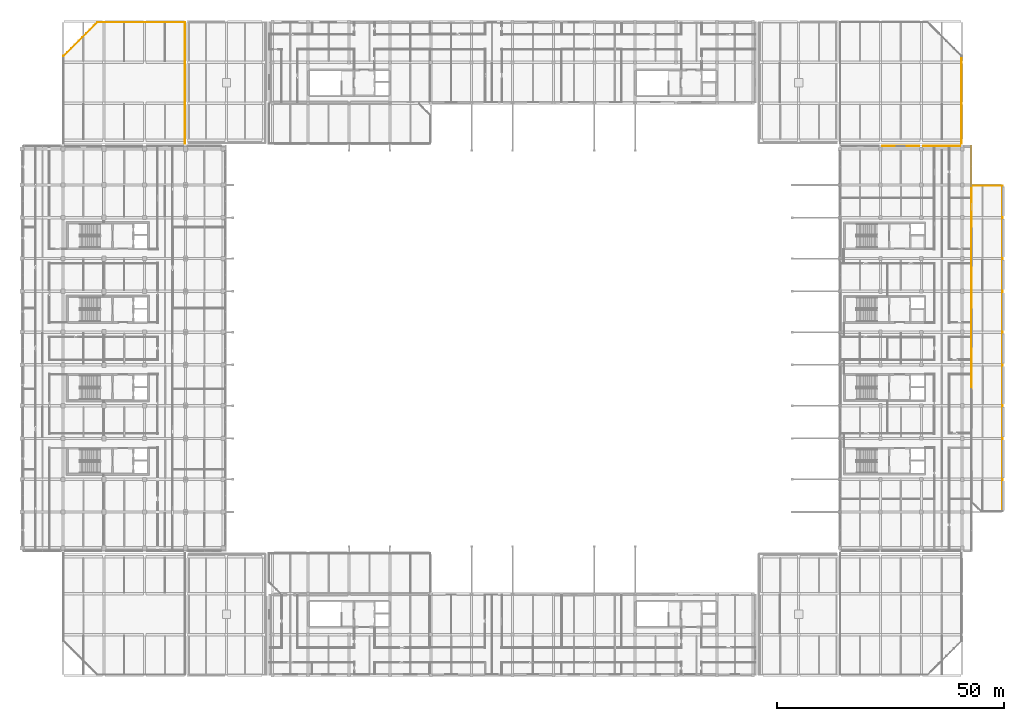
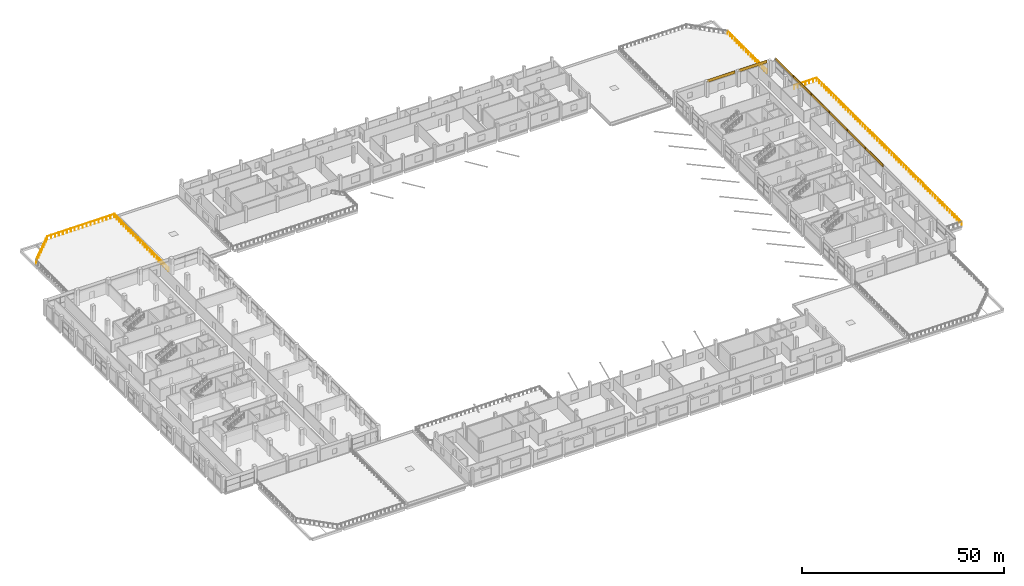
# One storey, part 79 of 82: 8 coverings, 6 railings.
"""IFC4 building model written with IfcOpenShell, lengths in metres."""

from ifc_helpers import new_model, si_unit, direction, frame, origin, origin_2d, place, context, subcontext, project, spatial, rectangle, circle, extrude, material, layer, layer_set, type_object, element, save


model = new_model("IFC4")

# Units and contexts
model_context = context("Model", 3, precision=1e-05, world=origin(), true_north=direction((0.0, 1.0)))
body_context = subcontext(model_context, "Body", "Model", "MODEL_VIEW")
ifc_project = project(units=[si_unit("LENGTHUNIT", "METRE"), si_unit("AREAUNIT", "SQUARE_METRE"), si_unit("VOLUMEUNIT", "CUBIC_METRE"), si_unit("PLANEANGLEUNIT", "RADIAN"), si_unit("MASSUNIT", "GRAM", prefix="KILO"), si_unit("THERMODYNAMICTEMPERATUREUNIT", "KELVIN"), si_unit("POWERUNIT", "WATT")], contexts=[model_context])

# Site, building, storey
site_placement = place(None, origin())
site = spatial("IfcSite", under=ifc_project, at=site_placement, CompositionType="ELEMENT")
building_placement = place(site_placement, origin())
building = spatial("IfcBuilding", under=site, at=building_placement, Name="Sindhuravela Promenade Stadium", CompositionType="ELEMENT")
storey_placement = place(building_placement, frame((0.0, 0.0, 14.39990234375)))
storey = spatial("IfcBuildingStorey", under=building, at=storey_placement, Name="L03", CompositionType="ELEMENT", Elevation=14.39990234375)

# Coverings
ifc_material_1 = material(Name="Polychrome trencadis ceramic mosaic", Category="masonry")
ifc_layer_1 = layer(ifc_material_1, 0.034912109375)
ifc_layer_set_1 = layer_set([ifc_layer_1], Name="Polychrome trencadis ceramic mosaic")
covering_type_1 = type_object("IfcCoveringType", Name="CV-TRENC-1", PredefinedType="CLADDING", material=ifc_layer_set_1)
covering_1_placement = place(storey_placement, frame((193.47509765625, 125.570068359375, 3.55517578125), z_axis=(0.0, 0.0, 1.0), x_axis=(1.0, 0.0, 0.0)))
element("IfcCovering", 1, at=covering_1_placement, inside=storey, type_object=covering_type_1, Name="Trencadis ceramic mosaic spandrel frieze EAST L03-212", PredefinedType="CLADDING", context=body_context, shape_type="SweptSolid", body=[
    extrude(rectangle(XDim=8.1201171875, YDim=0.034912109375, at=origin_2d()), origin(), (0.0, 0.0, 1.0), 0.905029296875),
])
for number, where, z_axis, x_axis, name in (
    (2, (209.02001953125, 121.094970703125, 3.55517578125), (0.0, 0.0, 1.0), (0.0, -1.0, 0.0), "Trencadis ceramic mosaic spandrel frieze EAST L03-214"),
    (3, (209.02001953125, 103.27490234375, 3.55517578125), (0.0, 0.0, 1.0), (0.0, -1.0, 0.0), "Trencadis ceramic mosaic spandrel frieze EAST L03-216"),
    (4, (209.02001953125, 85.455078125, 3.55517578125), (0.0, 0.0, 1.0), (0.0, -1.0, 0.0), "Trencadis ceramic mosaic spandrel frieze EAST L03-218"),
):
    element("IfcCovering", number, at=place(storey_placement, frame(where, z_axis=z_axis, x_axis=x_axis)), inside=storey, type_object=covering_type_1, Name=name, PredefinedType="CLADDING", context=body_context, shape_type="SweptSolid", body=[
        extrude(rectangle(XDim=8.7900390625, YDim=0.034912109375, at=origin_2d()), origin(), (0.0, 0.0, 1.0), 0.905029296875),
    ])
ifc_layer_2 = layer(ifc_material_1, 0.050048828125)
ifc_layer_set_2 = layer_set([ifc_layer_2], Name="Polychrome trencadis ceramic mosaic")
covering_type_2 = type_object("IfcCoveringType", Name="CV-TRENC-2", PredefinedType="CLADDING", material=ifc_layer_set_2)
covering_2_placement = place(storey_placement, frame((202.52490234375, 125.570068359375, 3.55517578125), z_axis=(0.0, 0.0, 1.0), x_axis=(1.0, 0.0, 0.0)))
element("IfcCovering", 5, at=covering_2_placement, inside=storey, type_object=covering_type_2, Name="Trencadis ceramic mosaic spandrel frieze EAST L03-213", PredefinedType="CLADDING", context=body_context, shape_type="SweptSolid", body=[
    extrude(rectangle(XDim=8.1201171875, YDim=0.050048828125, at=origin_2d()), origin(), (0.0, 0.0, 1.0), 0.905029296875),
])
for number, where, z_axis, x_axis, name in (
    (6, (209.02001953125, 112.18505859375, 3.55517578125), (0.0, 0.0, 1.0), (0.0, -1.0, 0.0), "Trencadis ceramic mosaic spandrel frieze EAST L03-215"),
    (7, (209.02001953125, 94.364990234375, 3.55517578125), (0.0, 0.0, 1.0), (0.0, -1.0, 0.0), "Trencadis ceramic mosaic spandrel frieze EAST L03-217"),
    (8, (209.02001953125, 76.544921875, 3.55517578125), (0.0, 0.0, 1.0), (0.0, -1.0, 0.0), "Trencadis ceramic mosaic spandrel frieze EAST L03-219"),
):
    element("IfcCovering", number, at=place(storey_placement, frame(where, z_axis=z_axis, x_axis=x_axis)), inside=storey, type_object=covering_type_2, Name=name, PredefinedType="CLADDING", context=body_context, shape_type="SweptSolid", body=[
        extrude(rectangle(XDim=8.7900390625, YDim=0.050048828125, at=origin_2d()), origin(), (0.0, 0.0, 1.0), 0.905029296875),
    ])

# Railings
ifc_material_2 = material(Name="Architectural wrought steel E350", Category="steel")
railing_type = type_object("IfcRailingType", Name="RL-BAL-1150", PredefinedType="BALUSTRADE", material=ifc_material_2)
railing_1_placement = place(storey_placement, frame((9.139892578125, 145.382080078125, 0.0)))
element("IfcRailing", 9, at=railing_1_placement, inside=storey, type_object=railing_type, Name="Terrace wrought balustrade BL01-22", PredefinedType="BALUSTRADE", context=body_context, shape_type="SweptSolid", body=[
    extrude(circle(Radius=0.02392578125, at=origin_2d()), frame((0.0, 0.0, 1.1259765625), z_axis=(0.7071067811865475, 0.7071067811865475, 0.0), x_axis=(-0.7071067811865476, 0.7071067811865476, 0.0)), (0.0, 0.0, 1.0), 10.575439453125),
    extrude(circle(Radius=0.02099609375, at=origin_2d()), origin(), (0.0, 0.0, 1.0), 1.101806640625),
    extrude(circle(Radius=0.02099609375, at=origin_2d()), frame((0.830810546875, 0.830810546875, 0.0)), (0.0, 0.0, 1.0), 1.101806640625),
    extrude(circle(Radius=0.02099609375, at=origin_2d()), frame((1.661865234375, 1.661865234375, 0.0)), (0.0, 0.0, 1.0), 1.101806640625),
    extrude(circle(Radius=0.02099609375, at=origin_2d()), frame((2.49267578125, 2.49267578125, 0.0)), (0.0, 0.0, 1.0), 1.101806640625),
    extrude(circle(Radius=0.02099609375, at=origin_2d()), frame((3.323486328125, 3.323486328125, 0.0)), (0.0, 0.0, 1.0), 1.101806640625),
    extrude(circle(Radius=0.02099609375, at=origin_2d()), frame((4.154541015625, 4.154541015625, 0.0)), (0.0, 0.0, 1.0), 1.101806640625),
    extrude(circle(Radius=0.02099609375, at=origin_2d()), frame((4.9853515625, 4.9853515625, 0.0)), (0.0, 0.0, 1.0), 1.101806640625),
    extrude(circle(Radius=0.02099609375, at=origin_2d()), frame((5.816162109375, 5.816162109375, 0.0)), (0.0, 0.0, 1.0), 1.101806640625),
    extrude(circle(Radius=0.02099609375, at=origin_2d()), frame((6.647216796875, 6.647216796875, 0.0)), (0.0, 0.0, 1.0), 1.101806640625),
    extrude(circle(Radius=0.02099609375, at=origin_2d()), frame((7.47802734375, 7.47802734375, 0.0)), (0.0, 0.0, 1.0), 1.101806640625),
])
railing_2_placement = place(storey_placement, frame((16.617919921875, 152.860107421875, 0.0)))
element("IfcRailing", 10, at=railing_2_placement, inside=storey, type_object=railing_type, Name="Terrace wrought balustrade BL01-23", PredefinedType="BALUSTRADE", context=body_context, shape_type="SweptSolid", body=[
    extrude(circle(Radius=0.02392578125, at=origin_2d()), frame((0.0, 0.0, 1.1259765625), z_axis=(1.0, 0.0, 0.0), x_axis=(0.0, 1.0, 0.0)), (0.0, 0.0, 1.0), 19.2421875),
    extrude(circle(Radius=0.02099609375, at=origin_2d()), origin(), (0.0, 0.0, 1.0), 1.101806640625),
    extrude(circle(Radius=0.02099609375, at=origin_2d()), frame((1.1318359375, 0.0, 0.0)), (0.0, 0.0, 1.0), 1.101806640625),
    extrude(circle(Radius=0.02099609375, at=origin_2d()), frame((2.263671875, 0.0, 0.0)), (0.0, 0.0, 1.0), 1.101806640625),
    extrude(circle(Radius=0.02099609375, at=origin_2d()), frame((3.395751953125, 0.0, 0.0)), (0.0, 0.0, 1.0), 1.101806640625),
    extrude(circle(Radius=0.02099609375, at=origin_2d()), frame((4.527587890625, 0.0, 0.0)), (0.0, 0.0, 1.0), 1.101806640625),
    extrude(circle(Radius=0.02099609375, at=origin_2d()), frame((5.659423828125, 0.0, 0.0)), (0.0, 0.0, 1.0), 1.101806640625),
    extrude(circle(Radius=0.02099609375, at=origin_2d()), frame((6.791259765625, 0.0, 0.0)), (0.0, 0.0, 1.0), 1.101806640625),
    extrude(circle(Radius=0.02099609375, at=origin_2d()), frame((7.92333984375, 0.0, 0.0)), (0.0, 0.0, 1.0), 1.101806640625),
    extrude(circle(Radius=0.02099609375, at=origin_2d()), frame((9.05517578125, 0.0, 0.0)), (0.0, 0.0, 1.0), 1.101806640625),
    extrude(circle(Radius=0.02099609375, at=origin_2d()), frame((10.18701171875, 0.0, 0.0)), (0.0, 0.0, 1.0), 1.101806640625),
    extrude(circle(Radius=0.02099609375, at=origin_2d()), frame((11.31884765625, 0.0, 0.0)), (0.0, 0.0, 1.0), 1.101806640625),
    extrude(circle(Radius=0.02099609375, at=origin_2d()), frame((12.450927734375, 0.0, 0.0)), (0.0, 0.0, 1.0), 1.101806640625),
    extrude(circle(Radius=0.02099609375, at=origin_2d()), frame((13.582763671875, 0.0, 0.0)), (0.0, 0.0, 1.0), 1.101806640625),
    extrude(circle(Radius=0.02099609375, at=origin_2d()), frame((14.714599609375, 0.0, 0.0)), (0.0, 0.0, 1.0), 1.101806640625),
    extrude(circle(Radius=0.02099609375, at=origin_2d()), frame((15.846435546875, 0.0, 0.0)), (0.0, 0.0, 1.0), 1.101806640625),
    extrude(circle(Radius=0.02099609375, at=origin_2d()), frame((16.978515625, 0.0, 0.0)), (0.0, 0.0, 1.0), 1.101806640625),
    extrude(circle(Radius=0.02099609375, at=origin_2d()), frame((18.1103515625, 0.0, 0.0)), (0.0, 0.0, 1.0), 1.101806640625),
    extrude(circle(Radius=0.02099609375, at=origin_2d()), frame((19.2421875, 0.0, 0.0)), (0.0, 0.0, 1.0), 1.101806640625),
])
railing_3_placement = place(storey_placement, frame((35.860107421875, 152.860107421875, 0.0)))
element("IfcRailing", 11, at=railing_3_placement, inside=storey, type_object=railing_type, Name="Terrace wrought balustrade BL01-24", PredefinedType="BALUSTRADE", context=body_context, shape_type="SweptSolid", body=[
    extrude(circle(Radius=0.02392578125, at=origin_2d()), frame((0.0, 0.0, 1.1259765625), z_axis=(0.0, -1.0, 0.0), x_axis=(1.0, 0.0, 0.0)), (0.0, 0.0, 1.0), 26.72021484375),
    extrude(circle(Radius=0.02099609375, at=origin_2d()), origin(), (0.0, 0.0, 1.0), 1.101806640625),
    extrude(circle(Radius=0.02099609375, at=origin_2d()), frame((0.0, -1.161865234375, 0.0)), (0.0, 0.0, 1.0), 1.101806640625),
    extrude(circle(Radius=0.02099609375, at=origin_2d()), frame((0.0, -2.323486328125, 0.0)), (0.0, 0.0, 1.0), 1.101806640625),
    extrude(circle(Radius=0.02099609375, at=origin_2d()), frame((0.0, -3.4853515625, 0.0)), (0.0, 0.0, 1.0), 1.101806640625),
    extrude(circle(Radius=0.02099609375, at=origin_2d()), frame((0.0, -4.64697265625, 0.0)), (0.0, 0.0, 1.0), 1.101806640625),
    extrude(circle(Radius=0.02099609375, at=origin_2d()), frame((0.0, -5.808837890625, 0.0)), (0.0, 0.0, 1.0), 1.101806640625),
    extrude(circle(Radius=0.02099609375, at=origin_2d()), frame((0.0, -6.970458984375, 0.0)), (0.0, 0.0, 1.0), 1.101806640625),
    extrude(circle(Radius=0.02099609375, at=origin_2d()), frame((0.0, -8.13232421875, 0.0)), (0.0, 0.0, 1.0), 1.101806640625),
    extrude(circle(Radius=0.02099609375, at=origin_2d()), frame((0.0, -9.2939453125, 0.0)), (0.0, 0.0, 1.0), 1.101806640625),
    extrude(circle(Radius=0.02099609375, at=origin_2d()), frame((0.0, -10.455810546875, 0.0)), (0.0, 0.0, 1.0), 1.101806640625),
    extrude(circle(Radius=0.02099609375, at=origin_2d()), frame((0.0, -11.617431640625, 0.0)), (0.0, 0.0, 1.0), 1.101806640625),
    extrude(circle(Radius=0.02099609375, at=origin_2d()), frame((0.0, -12.779296875, 0.0)), (0.0, 0.0, 1.0), 1.101806640625),
    extrude(circle(Radius=0.02099609375, at=origin_2d()), frame((0.0, -13.94091796875, 0.0)), (0.0, 0.0, 1.0), 1.101806640625),
    extrude(circle(Radius=0.02099609375, at=origin_2d()), frame((0.0, -15.102783203125, 0.0)), (0.0, 0.0, 1.0), 1.101806640625),
    extrude(circle(Radius=0.02099609375, at=origin_2d()), frame((0.0, -16.264404296875, 0.0)), (0.0, 0.0, 1.0), 1.101806640625),
    extrude(circle(Radius=0.02099609375, at=origin_2d()), frame((0.0, -17.42626953125, 0.0)), (0.0, 0.0, 1.0), 1.101806640625),
    extrude(circle(Radius=0.02099609375, at=origin_2d()), frame((0.0, -18.587890625, 0.0)), (0.0, 0.0, 1.0), 1.101806640625),
    extrude(circle(Radius=0.02099609375, at=origin_2d()), frame((0.0, -19.749755859375, 0.0)), (0.0, 0.0, 1.0), 1.101806640625),
    extrude(circle(Radius=0.02099609375, at=origin_2d()), frame((0.0, -20.911376953125, 0.0)), (0.0, 0.0, 1.0), 1.101806640625),
    extrude(circle(Radius=0.02099609375, at=origin_2d()), frame((0.0, -22.0732421875, 0.0)), (0.0, 0.0, 1.0), 1.101806640625),
    extrude(circle(Radius=0.02099609375, at=origin_2d()), frame((0.0, -23.23486328125, 0.0)), (0.0, 0.0, 1.0), 1.101806640625),
    extrude(circle(Radius=0.02099609375, at=origin_2d()), frame((0.0, -24.396728515625, 0.0)), (0.0, 0.0, 1.0), 1.101806640625),
    extrude(circle(Radius=0.02099609375, at=origin_2d()), frame((0.0, -25.558349609375, 0.0)), (0.0, 0.0, 1.0), 1.101806640625),
    extrude(circle(Radius=0.02099609375, at=origin_2d()), frame((0.0, -26.72021484375, 0.0)), (0.0, 0.0, 1.0), 1.101806640625),
])
railing_4_placement = place(storey_placement, frame((206.860107421875, 145.382080078125, 0.0)))
element("IfcRailing", 12, at=railing_4_placement, inside=storey, type_object=railing_type, Name="Terrace wrought balustrade BL01-28", PredefinedType="BALUSTRADE", context=body_context, shape_type="SweptSolid", body=[
    extrude(circle(Radius=0.02392578125, at=origin_2d()), frame((0.0, 0.0, 1.1259765625), z_axis=(0.0, -1.0, 0.0), x_axis=(1.0, 0.0, 0.0)), (0.0, 0.0, 1.0), 19.2421875),
    extrude(circle(Radius=0.02099609375, at=origin_2d()), origin(), (0.0, 0.0, 1.0), 1.101806640625),
    extrude(circle(Radius=0.02099609375, at=origin_2d()), frame((0.0, -1.1318359375, 0.0)), (0.0, 0.0, 1.0), 1.101806640625),
    extrude(circle(Radius=0.02099609375, at=origin_2d()), frame((0.0, -2.263671875, 0.0)), (0.0, 0.0, 1.0), 1.101806640625),
    extrude(circle(Radius=0.02099609375, at=origin_2d()), frame((0.0, -3.395751953125, 0.0)), (0.0, 0.0, 1.0), 1.101806640625),
    extrude(circle(Radius=0.02099609375, at=origin_2d()), frame((0.0, -4.527587890625, 0.0)), (0.0, 0.0, 1.0), 1.101806640625),
    extrude(circle(Radius=0.02099609375, at=origin_2d()), frame((0.0, -5.659423828125, 0.0)), (0.0, 0.0, 1.0), 1.101806640625),
    extrude(circle(Radius=0.02099609375, at=origin_2d()), frame((0.0, -6.791259765625, 0.0)), (0.0, 0.0, 1.0), 1.101806640625),
    extrude(circle(Radius=0.02099609375, at=origin_2d()), frame((0.0, -7.92333984375, 0.0)), (0.0, 0.0, 1.0), 1.101806640625),
    extrude(circle(Radius=0.02099609375, at=origin_2d()), frame((0.0, -9.05517578125, 0.0)), (0.0, 0.0, 1.0), 1.101806640625),
    extrude(circle(Radius=0.02099609375, at=origin_2d()), frame((0.0, -10.18701171875, 0.0)), (0.0, 0.0, 1.0), 1.101806640625),
    extrude(circle(Radius=0.02099609375, at=origin_2d()), frame((0.0, -11.31884765625, 0.0)), (0.0, 0.0, 1.0), 1.101806640625),
    extrude(circle(Radius=0.02099609375, at=origin_2d()), frame((0.0, -12.450927734375, 0.0)), (0.0, 0.0, 1.0), 1.101806640625),
    extrude(circle(Radius=0.02099609375, at=origin_2d()), frame((0.0, -13.582763671875, 0.0)), (0.0, 0.0, 1.0), 1.101806640625),
    extrude(circle(Radius=0.02099609375, at=origin_2d()), frame((0.0, -14.714599609375, 0.0)), (0.0, 0.0, 1.0), 1.101806640625),
    extrude(circle(Radius=0.02099609375, at=origin_2d()), frame((0.0, -15.846435546875, 0.0)), (0.0, 0.0, 1.0), 1.101806640625),
    extrude(circle(Radius=0.02099609375, at=origin_2d()), frame((0.0, -16.978515625, 0.0)), (0.0, 0.0, 1.0), 1.101806640625),
    extrude(circle(Radius=0.02099609375, at=origin_2d()), frame((0.0, -18.1103515625, 0.0)), (0.0, 0.0, 1.0), 1.101806640625),
    extrude(circle(Radius=0.02099609375, at=origin_2d()), frame((0.0, -19.2421875, 0.0)), (0.0, 0.0, 1.0), 1.101806640625),
])
railing_5_placement = place(storey_placement, frame((209.340087890625, 116.860107421875, 0.0)))
element("IfcRailing", 13, at=railing_5_placement, inside=storey, type_object=railing_type, Name="Terrace wrought balustrade BL01-30", PredefinedType="BALUSTRADE", context=body_context, shape_type="SweptSolid", body=[
    extrude(circle(Radius=0.02392578125, at=origin_2d()), frame((0.0, 0.0, 1.1259765625), z_axis=(1.0, 0.0, 0.0), x_axis=(0.0, 1.0, 0.0)), (0.0, 0.0, 1.0), 6.52001953125),
    extrude(circle(Radius=0.02099609375, at=origin_2d()), origin(), (0.0, 0.0, 1.0), 1.101806640625),
    extrude(circle(Radius=0.02099609375, at=origin_2d()), frame((1.086669921875, 0.0, 0.0)), (0.0, 0.0, 1.0), 1.101806640625),
    extrude(circle(Radius=0.02099609375, at=origin_2d()), frame((2.17333984375, 0.0, 0.0)), (0.0, 0.0, 1.0), 1.101806640625),
    extrude(circle(Radius=0.02099609375, at=origin_2d()), frame((3.260009765625, 0.0, 0.0)), (0.0, 0.0, 1.0), 1.101806640625),
    extrude(circle(Radius=0.02099609375, at=origin_2d()), frame((4.3466796875, 0.0, 0.0)), (0.0, 0.0, 1.0), 1.101806640625),
    extrude(circle(Radius=0.02099609375, at=origin_2d()), frame((5.433349609375, 0.0, 0.0)), (0.0, 0.0, 1.0), 1.101806640625),
    extrude(circle(Radius=0.02099609375, at=origin_2d()), frame((6.52001953125, 0.0, 0.0)), (0.0, 0.0, 1.0), 1.101806640625),
])
railing_6_placement = place(storey_placement, frame((215.860107421875, 116.860107421875, 0.0)))
element("IfcRailing", 14, at=railing_6_placement, inside=storey, type_object=railing_type, Name="Terrace wrought balustrade BL01-31", PredefinedType="BALUSTRADE", context=body_context, shape_type="SweptSolid", body=[
    extrude(circle(Radius=0.02392578125, at=origin_2d()), frame((0.0, 0.0, 1.1259765625), z_axis=(0.0, -1.0, 0.0), x_axis=(1.0, 0.0, 0.0)), (0.0, 0.0, 1.0), 71.72021484375),
    extrude(circle(Radius=0.02099609375, at=origin_2d()), origin(), (0.0, 0.0, 1.0), 1.101806640625),
    extrude(circle(Radius=0.02099609375, at=origin_2d()), frame((0.0, -1.1953125, 0.0)), (0.0, 0.0, 1.0), 1.101806640625),
    extrude(circle(Radius=0.02099609375, at=origin_2d()), frame((0.0, -2.390625, 0.0)), (0.0, 0.0, 1.0), 1.101806640625),
    extrude(circle(Radius=0.02099609375, at=origin_2d()), frame((0.0, -3.5859375, 0.0)), (0.0, 0.0, 1.0), 1.101806640625),
    extrude(circle(Radius=0.02099609375, at=origin_2d()), frame((0.0, -4.78125, 0.0)), (0.0, 0.0, 1.0), 1.101806640625),
    extrude(circle(Radius=0.02099609375, at=origin_2d()), frame((0.0, -5.9765625, 0.0)), (0.0, 0.0, 1.0), 1.101806640625),
    extrude(circle(Radius=0.02099609375, at=origin_2d()), frame((0.0, -7.172119140625, 0.0)), (0.0, 0.0, 1.0), 1.101806640625),
    extrude(circle(Radius=0.02099609375, at=origin_2d()), frame((0.0, -8.367431640625, 0.0)), (0.0, 0.0, 1.0), 1.101806640625),
    extrude(circle(Radius=0.02099609375, at=origin_2d()), frame((0.0, -9.562744140625, 0.0)), (0.0, 0.0, 1.0), 1.101806640625),
    extrude(circle(Radius=0.02099609375, at=origin_2d()), frame((0.0, -10.758056640625, 0.0)), (0.0, 0.0, 1.0), 1.101806640625),
    extrude(circle(Radius=0.02099609375, at=origin_2d()), frame((0.0, -11.953369140625, 0.0)), (0.0, 0.0, 1.0), 1.101806640625),
    extrude(circle(Radius=0.02099609375, at=origin_2d()), frame((0.0, -13.148681640625, 0.0)), (0.0, 0.0, 1.0), 1.101806640625),
    extrude(circle(Radius=0.02099609375, at=origin_2d()), frame((0.0, -14.343994140625, 0.0)), (0.0, 0.0, 1.0), 1.101806640625),
    extrude(circle(Radius=0.02099609375, at=origin_2d()), frame((0.0, -15.539306640625, 0.0)), (0.0, 0.0, 1.0), 1.101806640625),
    extrude(circle(Radius=0.02099609375, at=origin_2d()), frame((0.0, -16.734619140625, 0.0)), (0.0, 0.0, 1.0), 1.101806640625),
    extrude(circle(Radius=0.02099609375, at=origin_2d()), frame((0.0, -17.93017578125, 0.0)), (0.0, 0.0, 1.0), 1.101806640625),
    extrude(circle(Radius=0.02099609375, at=origin_2d()), frame((0.0, -19.12548828125, 0.0)), (0.0, 0.0, 1.0), 1.101806640625),
    extrude(circle(Radius=0.02099609375, at=origin_2d()), frame((0.0, -20.32080078125, 0.0)), (0.0, 0.0, 1.0), 1.101806640625),
    extrude(circle(Radius=0.02099609375, at=origin_2d()), frame((0.0, -21.51611328125, 0.0)), (0.0, 0.0, 1.0), 1.101806640625),
    extrude(circle(Radius=0.02099609375, at=origin_2d()), frame((0.0, -22.71142578125, 0.0)), (0.0, 0.0, 1.0), 1.101806640625),
    extrude(circle(Radius=0.02099609375, at=origin_2d()), frame((0.0, -23.90673828125, 0.0)), (0.0, 0.0, 1.0), 1.101806640625),
    extrude(circle(Radius=0.02099609375, at=origin_2d()), frame((0.0, -25.10205078125, 0.0)), (0.0, 0.0, 1.0), 1.101806640625),
    extrude(circle(Radius=0.02099609375, at=origin_2d()), frame((0.0, -26.29736328125, 0.0)), (0.0, 0.0, 1.0), 1.101806640625),
    extrude(circle(Radius=0.02099609375, at=origin_2d()), frame((0.0, -27.49267578125, 0.0)), (0.0, 0.0, 1.0), 1.101806640625),
    extrude(circle(Radius=0.02099609375, at=origin_2d()), frame((0.0, -28.68798828125, 0.0)), (0.0, 0.0, 1.0), 1.101806640625),
    extrude(circle(Radius=0.02099609375, at=origin_2d()), frame((0.0, -29.88330078125, 0.0)), (0.0, 0.0, 1.0), 1.101806640625),
    extrude(circle(Radius=0.02099609375, at=origin_2d()), frame((0.0, -31.078857421875, 0.0)), (0.0, 0.0, 1.0), 1.101806640625),
    extrude(circle(Radius=0.02099609375, at=origin_2d()), frame((0.0, -32.274169921875, 0.0)), (0.0, 0.0, 1.0), 1.101806640625),
    extrude(circle(Radius=0.02099609375, at=origin_2d()), frame((0.0, -33.469482421875, 0.0)), (0.0, 0.0, 1.0), 1.101806640625),
    extrude(circle(Radius=0.02099609375, at=origin_2d()), frame((0.0, -34.664794921875, 0.0)), (0.0, 0.0, 1.0), 1.101806640625),
    extrude(circle(Radius=0.02099609375, at=origin_2d()), frame((0.0, -35.860107421875, 0.0)), (0.0, 0.0, 1.0), 1.101806640625),
    extrude(circle(Radius=0.02099609375, at=origin_2d()), frame((0.0, -37.055419921875, 0.0)), (0.0, 0.0, 1.0), 1.101806640625),
    extrude(circle(Radius=0.02099609375, at=origin_2d()), frame((0.0, -38.250732421875, 0.0)), (0.0, 0.0, 1.0), 1.101806640625),
    extrude(circle(Radius=0.02099609375, at=origin_2d()), frame((0.0, -39.446044921875, 0.0)), (0.0, 0.0, 1.0), 1.101806640625),
    extrude(circle(Radius=0.02099609375, at=origin_2d()), frame((0.0, -40.641357421875, 0.0)), (0.0, 0.0, 1.0), 1.101806640625),
    extrude(circle(Radius=0.02099609375, at=origin_2d()), frame((0.0, -41.8369140625, 0.0)), (0.0, 0.0, 1.0), 1.101806640625),
    extrude(circle(Radius=0.02099609375, at=origin_2d()), frame((0.0, -43.0322265625, 0.0)), (0.0, 0.0, 1.0), 1.101806640625),
    extrude(circle(Radius=0.02099609375, at=origin_2d()), frame((0.0, -44.2275390625, 0.0)), (0.0, 0.0, 1.0), 1.101806640625),
    extrude(circle(Radius=0.02099609375, at=origin_2d()), frame((0.0, -45.4228515625, 0.0)), (0.0, 0.0, 1.0), 1.101806640625),
    extrude(circle(Radius=0.02099609375, at=origin_2d()), frame((0.0, -46.6181640625, 0.0)), (0.0, 0.0, 1.0), 1.101806640625),
    extrude(circle(Radius=0.02099609375, at=origin_2d()), frame((0.0, -47.8134765625, 0.0)), (0.0, 0.0, 1.0), 1.101806640625),
    extrude(circle(Radius=0.02099609375, at=origin_2d()), frame((0.0, -49.0087890625, 0.0)), (0.0, 0.0, 1.0), 1.101806640625),
    extrude(circle(Radius=0.02099609375, at=origin_2d()), frame((0.0, -50.2041015625, 0.0)), (0.0, 0.0, 1.0), 1.101806640625),
    extrude(circle(Radius=0.02099609375, at=origin_2d()), frame((0.0, -51.3994140625, 0.0)), (0.0, 0.0, 1.0), 1.101806640625),
    extrude(circle(Radius=0.02099609375, at=origin_2d()), frame((0.0, -52.5947265625, 0.0)), (0.0, 0.0, 1.0), 1.101806640625),
    extrude(circle(Radius=0.02099609375, at=origin_2d()), frame((0.0, -53.7900390625, 0.0)), (0.0, 0.0, 1.0), 1.101806640625),
    extrude(circle(Radius=0.02099609375, at=origin_2d()), frame((0.0, -54.985595703125, 0.0)), (0.0, 0.0, 1.0), 1.101806640625),
    extrude(circle(Radius=0.02099609375, at=origin_2d()), frame((0.0, -56.180908203125, 0.0)), (0.0, 0.0, 1.0), 1.101806640625),
    extrude(circle(Radius=0.02099609375, at=origin_2d()), frame((0.0, -57.376220703125, 0.0)), (0.0, 0.0, 1.0), 1.101806640625),
    extrude(circle(Radius=0.02099609375, at=origin_2d()), frame((0.0, -58.571533203125, 0.0)), (0.0, 0.0, 1.0), 1.101806640625),
    extrude(circle(Radius=0.02099609375, at=origin_2d()), frame((0.0, -59.766845703125, 0.0)), (0.0, 0.0, 1.0), 1.101806640625),
    extrude(circle(Radius=0.02099609375, at=origin_2d()), frame((0.0, -60.962158203125, 0.0)), (0.0, 0.0, 1.0), 1.101806640625),
    extrude(circle(Radius=0.02099609375, at=origin_2d()), frame((0.0, -62.157470703125, 0.0)), (0.0, 0.0, 1.0), 1.101806640625),
    extrude(circle(Radius=0.02099609375, at=origin_2d()), frame((0.0, -63.352783203125, 0.0)), (0.0, 0.0, 1.0), 1.101806640625),
    extrude(circle(Radius=0.02099609375, at=origin_2d()), frame((0.0, -64.548095703125, 0.0)), (0.0, 0.0, 1.0), 1.101806640625),
    extrude(circle(Radius=0.02099609375, at=origin_2d()), frame((0.0, -65.74365234375, 0.0)), (0.0, 0.0, 1.0), 1.101806640625),
    extrude(circle(Radius=0.02099609375, at=origin_2d()), frame((0.0, -66.93896484375, 0.0)), (0.0, 0.0, 1.0), 1.101806640625),
    extrude(circle(Radius=0.02099609375, at=origin_2d()), frame((0.0, -68.13427734375, 0.0)), (0.0, 0.0, 1.0), 1.101806640625),
    extrude(circle(Radius=0.02099609375, at=origin_2d()), frame((0.0, -69.32958984375, 0.0)), (0.0, 0.0, 1.0), 1.101806640625),
    extrude(circle(Radius=0.02099609375, at=origin_2d()), frame((0.0, -70.52490234375, 0.0)), (0.0, 0.0, 1.0), 1.101806640625),
    extrude(circle(Radius=0.02099609375, at=origin_2d()), frame((0.0, -71.72021484375, 0.0)), (0.0, 0.0, 1.0), 1.101806640625),
])

save(model, "model.ifc")
